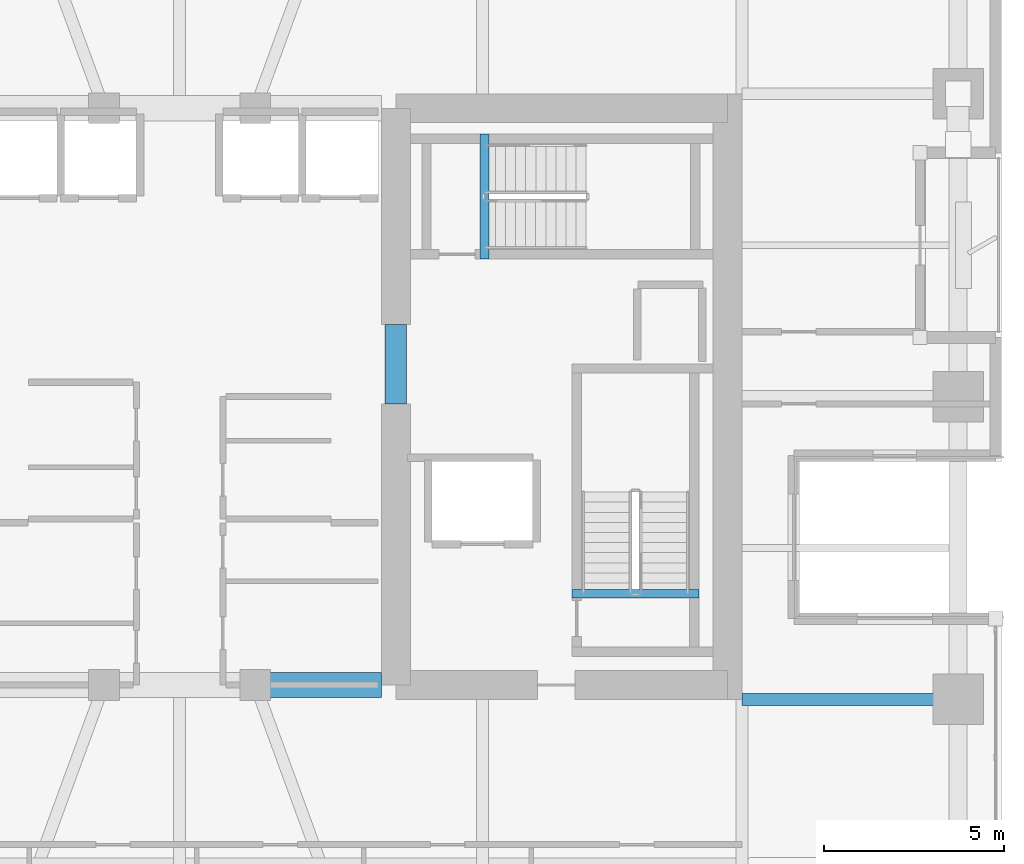
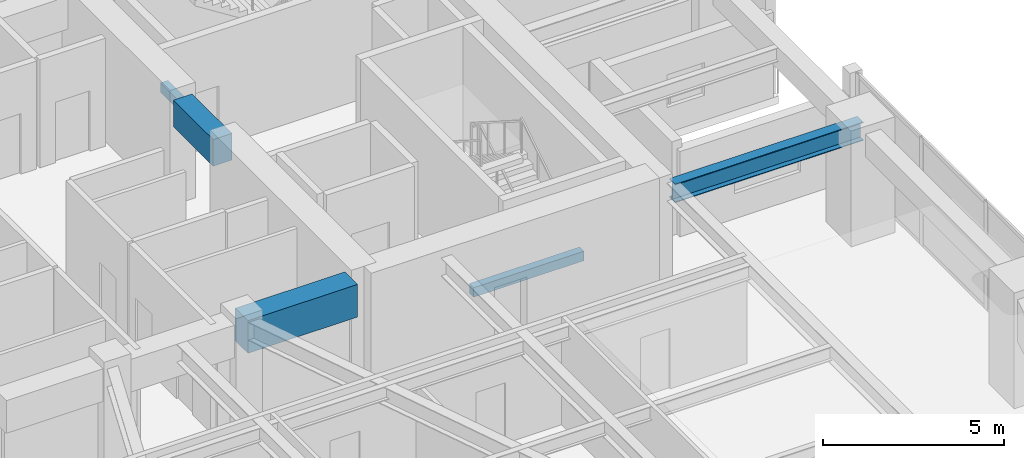
# One storey, part 5 of 24: 5 beams.
"""IFC4 building model written with IfcOpenShell, lengths in metres."""

from ifc_helpers import new_model, si_unit, direction, frame, origin, origin_2d, place, context, subcontext, project, spatial, rectangle, i_section, extrude, material, material_profile, profile_set, type_object, element, save


model = new_model("IFC4")

# Units and contexts
model_context = context("Model", 3, precision=1e-05, world=origin(), true_north=direction((0.0, 1.0)))
body_context = subcontext(model_context, "Body", "Model", "MODEL_VIEW")
ifc_project = project(units=[si_unit("LENGTHUNIT", "METRE"), si_unit("AREAUNIT", "SQUARE_METRE"), si_unit("VOLUMEUNIT", "CUBIC_METRE"), si_unit("PLANEANGLEUNIT", "RADIAN"), si_unit("MASSUNIT", "GRAM", prefix="KILO")], contexts=[model_context])

# Site, building, storey
site_placement = place(None, origin())
site = spatial("IfcSite", under=ifc_project, at=site_placement, CompositionType="ELEMENT")
building_placement = place(site_placement, origin())
building = spatial("IfcBuilding", under=site, at=building_placement, Name="Kiyonajd Concourse Tower", CompositionType="ELEMENT")
storey_placement = place(building_placement, frame((0.0, 0.0, 129.89990234375)))
storey = spatial("IfcBuildingStorey", under=building, at=storey_placement, Name="L33", CompositionType="ELEMENT", Elevation=129.89990234375)

# Beams
ifc_material_1 = material(Name="Concrete C70/85", Category="concrete")
ifc_material_profile_1 = material_profile(ifc_material_1, rectangle(XDim=0.699951171875, YDim=1.10009765625, at=origin_2d()), Name="RCBM-700x1100")
ifc_profile_set_1 = profile_set([ifc_material_profile_1], Name="Concrete C70/85")
beam_type_1 = type_object("IfcBeamType", Name="BM-COUP-1100", PredefinedType="LINTEL", material=ifc_profile_set_1)
beam_1_placement = place(storey_placement, frame((50.10009765625, 28.0, 3.090087890625), z_axis=(1.0, 0.0, 0.0), x_axis=(0.0, 1.0, 0.0)))
element("IfcBeam", 1, at=beam_1_placement, inside=storey, type_object=beam_type_1, Name="L33 Core Coupling Beam S3", PredefinedType="LINTEL", context=body_context, shape_type="SweptSolid", body=[
    extrude(rectangle(XDim=0.699951171875, YDim=1.10009765625, at=origin_2d()), origin(), (0.0, 0.0, 1.0), 3.5),
])
ifc_material_2 = material(Name="Concrete C60/75", Category="concrete")
ifc_material_profile_2 = material_profile(ifc_material_2, rectangle(XDim=0.60009765625, YDim=0.89990234375, at=origin_2d()), Name="RCBM-600x900")
ifc_profile_set_2 = profile_set([ifc_material_profile_2], Name="Concrete C60/75")
beam_type_2 = type_object("IfcBeamType", Name="BM-COUP-900", PredefinedType="LINTEL", material=ifc_profile_set_2)
beam_2_placement = place(storey_placement, frame((54.0, 35.800048828125, 3.090087890625), z_axis=(0.0, 1.0, 0.0), x_axis=(-1.0, 0.0, 0.0)))
element("IfcBeam", 2, at=beam_2_placement, inside=storey, type_object=beam_type_2, Name="L33 East Core Throat Coupling Lintel", PredefinedType="LINTEL", context=body_context, shape_type="SweptSolid", body=[
    extrude(rectangle(XDim=0.60009765625, YDim=0.89990234375, at=origin_2d()), origin(), (0.0, 0.0, 1.0), 2.199951171875),
])
ifc_material_3 = material(Name="Concrete C50/60", Category="concrete")
ifc_material_profile_3 = material_profile(ifc_material_3, rectangle(XDim=0.239990234375, YDim=0.320068359375, at=origin_2d()), Name="RCBM-240x320")
ifc_profile_set_3 = profile_set([ifc_material_profile_3], Name="Concrete C50/60")
beam_type_3 = type_object("IfcBeamType", Name="BM-LNT-250", PredefinedType="LINTEL", material=ifc_profile_set_3)
beam_3_placement = place(storey_placement, frame((58.889892578125, 30.530029296875, -0.159912109375), z_axis=(1.0, 0.0, 0.0), x_axis=(0.0, 1.0, 0.0)))
element("IfcBeam", 3, at=beam_3_placement, inside=storey, type_object=beam_type_3, Name="L33 Stair ST2 Threshold Support Beam", PredefinedType="LINTEL", context=body_context, shape_type="SweptSolid", body=[
    extrude(rectangle(XDim=0.239990234375, YDim=0.320068359375, at=origin_2d()), origin(), (0.0, 0.0, 1.0), 3.52001953125),
])
beam_4_placement = place(storey_placement, frame((56.4599609375, 39.820068359375, -0.159912109375), z_axis=(0.0, 1.0, 0.0), x_axis=(-1.0, 0.0, 0.0)))
element("IfcBeam", 4, at=beam_4_placement, inside=storey, type_object=beam_type_3, Name="L33 Stair ST3 Threshold Support Beam", PredefinedType="LINTEL", context=body_context, shape_type="SweptSolid", body=[
    extrude(rectangle(XDim=0.239990234375, YDim=0.320068359375, at=origin_2d()), origin(), (0.0, 0.0, 1.0), 3.4599609375),
])
ifc_material_4 = material(Name="Steel ASTM A992 Grade 50", Category="steel")
ifc_material_profile_4 = material_profile(ifc_material_4, i_section(OverallWidth=0.326904296875, OverallDepth=0.6220703125, WebThickness=0.015380859375, FlangeThickness=0.0244140625, at=origin_2d()), Name="W610X195")
ifc_profile_set_4 = profile_set([ifc_material_profile_4], Name="Steel ASTM A992 Grade 50")
beam_type_4 = type_object("IfcBeamType", Name="BM-TWR-610A", PredefinedType="BEAM", material=ifc_profile_set_4)
beam_5_placement = place(storey_placement, frame((63.60009765625, 27.60009765625, 3.3291015625), z_axis=(1.0, 0.0, 0.0), x_axis=(0.0, 1.0, 0.0)))
element("IfcBeam", 5, at=beam_5_placement, inside=storey, type_object=beam_type_4, Name="L33 East Lease Girder", PredefinedType="BEAM", context=body_context, shape_type="SweptSolid", body=[
    extrude(i_section(OverallWidth=0.326904296875, OverallDepth=0.6220703125, WebThickness=0.015380859375, FlangeThickness=0.0244140625, at=origin_2d()), origin(), (0.0, 0.0, 1.0), 6.0),
])

save(model, "model.ifc")
